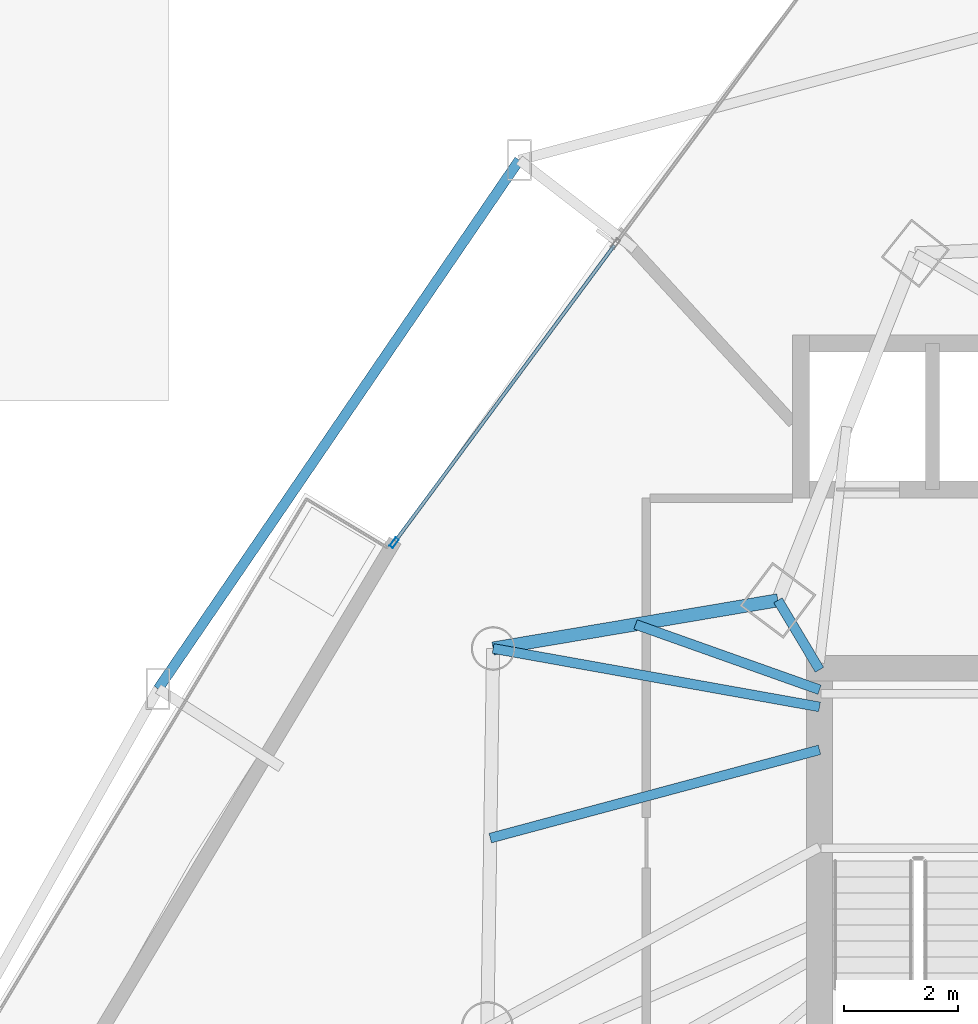
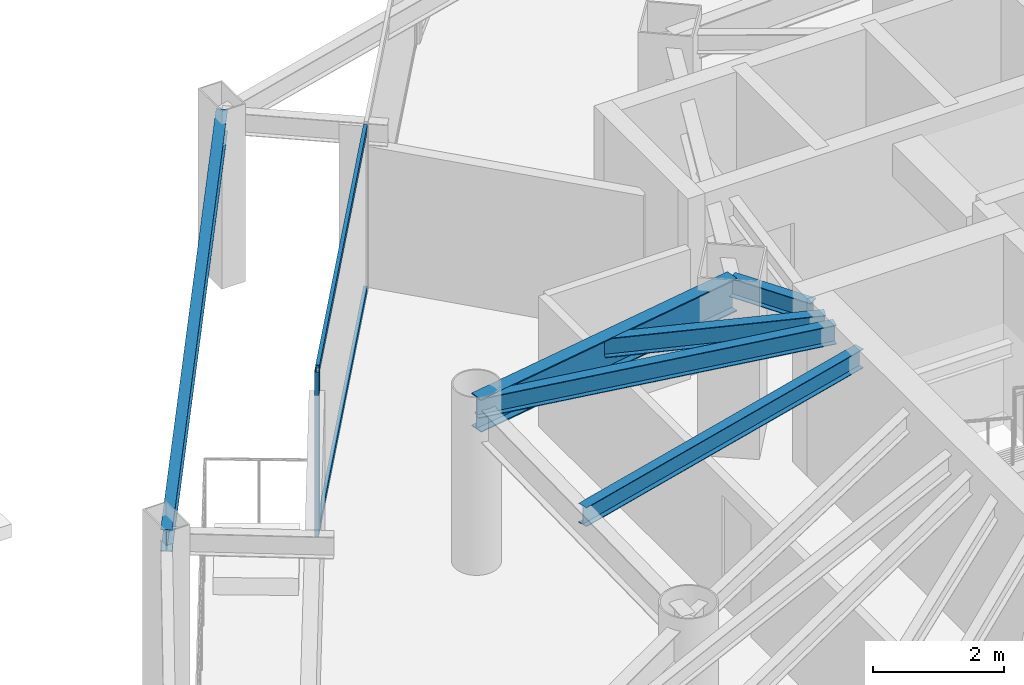
# One storey, part 22 of 35: 6 beams, 3 members, 1 element without a shape of its own.
"""IFC4 building model written with IfcOpenShell, lengths in metres."""

from ifc_helpers import new_model, si_unit, direction, frame, origin, origin_2d, place, context, subcontext, project, spatial, hollow_rectangle, i_section, extrude, material, layer, layer_set, material_profile, profile_set, type_object, element, aggregate, save


model = new_model("IFC4")

# Units and contexts
model_context = context("Model", 3, precision=1e-05, world=origin(), true_north=direction((0.0, 1.0)))
body_context = subcontext(model_context, "Body", "Model", "MODEL_VIEW")
ifc_project = project(units=[si_unit("LENGTHUNIT", "METRE"), si_unit("AREAUNIT", "SQUARE_METRE"), si_unit("VOLUMEUNIT", "CUBIC_METRE"), si_unit("PLANEANGLEUNIT", "RADIAN"), si_unit("MASSUNIT", "GRAM", prefix="KILO")], contexts=[model_context])

# Site, building, storey
site_placement = place(None, origin())
site = spatial("IfcSite", under=ifc_project, at=site_placement, CompositionType="ELEMENT")
building_placement = place(site_placement, origin())
building = spatial("IfcBuilding", under=site, at=building_placement, Name="Orvanel Arch Residences", CompositionType="ELEMENT")
storey_placement = place(building_placement, frame((0.0, 0.0, 26.89990234375)))
storey = spatial("IfcBuildingStorey", under=building, at=storey_placement, Name="L06", CompositionType="ELEMENT", Elevation=26.89990234375)

# Beams
ifc_material_1 = material(Name="Structural steel AS/NZS 3679.1 Grade 300 (300 MPa)", Category="steel")
ifc_material_profile_1 = material_profile(ifc_material_1, i_section(OverallWidth=0.1708984375, OverallDepth=0.35595703125, WebThickness=0.00732421875, FlangeThickness=0.011474609375, at=origin_2d()), Name="360UB50.7")
ifc_profile_set_1 = profile_set([ifc_material_profile_1], Name="Structural steel AS/NZS 3679.1 Grade 300 (300 MPa)")
beam_type_1 = type_object("IfcBeamType", Name="BJ-360UB", PredefinedType="JOIST", material=ifc_profile_set_1)
beam_1_placement = place(storey_placement, frame((26.375, 33.89990234375, 2.882080078125), z_axis=(-0.514064138778, 0.857751748015, 0.0), x_axis=(-0.857751748015, -0.514064138778, 0.0)))
element("IfcBeam", 1, at=beam_1_placement, inside=storey, type_object=beam_type_1, Name="L06 NNW Wing Floor Joist", PredefinedType="JOIST", context=body_context, shape_type="SweptSolid", body=[
    extrude(i_section(OverallWidth=0.1708984375, OverallDepth=0.35595703125, WebThickness=0.00732421875, FlangeThickness=0.011474609375, at=origin_2d()), origin(), (0.0, 0.0, 1.0), 1.414306640625),
])
beam_2_placement = place(storey_placement, frame((26.375, 32.5, 2.882080078125), z_axis=(-0.965844838168, -0.259121107949, 0.0), x_axis=(0.259121107949, -0.965844838168, 0.0)))
element("IfcBeam", 2, at=beam_2_placement, inside=storey, type_object=beam_type_1, Name="L06 WNW Wing Floor Joist", PredefinedType="JOIST", context=body_context, shape_type="SweptSolid", body=[
    extrude(i_section(OverallWidth=0.1708984375, OverallDepth=0.35595703125, WebThickness=0.00732421875, FlangeThickness=0.011474609375, at=origin_2d()), origin(), (0.0, 0.0, 1.0), 5.95849609375),
])
beam_3_placement = place(storey_placement, frame((26.375, 33.25, 2.882080078125), z_axis=(-0.984360855662, 0.176163860766, 0.0), x_axis=(-0.176163860766, -0.984360855662, 0.0)))
element("IfcBeam", 3, at=beam_3_placement, inside=storey, type_object=beam_type_1, Name="L06 LW Wing Floor Joist", PredefinedType="JOIST", context=body_context, shape_type="SweptSolid", body=[
    extrude(i_section(OverallWidth=0.1708984375, OverallDepth=0.35595703125, WebThickness=0.00732421875, FlangeThickness=0.011474609375, at=origin_2d()), origin(), (0.0, 0.0, 1.0), 5.795654296875),
])
beam_4_placement = place(storey_placement, frame((26.375, 33.550048828125, 2.882080078125), z_axis=(-0.942366638377, 0.334582006201, 0.0), x_axis=(-0.334582006201, -0.942366638377, 0.0)))
element("IfcBeam", 4, at=beam_4_placement, inside=storey, type_object=beam_type_1, Name="L06 JADD3 Wing Floor Joist", PredefinedType="JOIST", context=body_context, shape_type="SweptSolid", body=[
    extrude(i_section(OverallWidth=0.1708984375, OverallDepth=0.35595703125, WebThickness=0.00732421875, FlangeThickness=0.011474609375, at=origin_2d()), origin(), (0.0, 0.0, 1.0), 3.412841796875),
])

# Curtain wall, member
ifc_material_2 = material(Name="Bronze-anodised aluminium AA6063-T6", Category="aluminium")
ifc_layer = layer(ifc_material_2, 0.179931640625)
ifc_layer_set = layer_set([ifc_layer], Name="Bronze-anodised aluminium AA6063-T6")
curtain_wall_type = type_object("IfcCurtainWallType", Name="CW2-LOW-SYS", PredefinedType="NOTDEFINED", material=ifc_layer_set)
curtain_wall_placement = place(storey_placement, origin())
curtain_wall = element("IfcCurtainWall", 5, at=curtain_wall_placement, inside=storey, type_object=curtain_wall_type, Name="L06 CW2-LOW-SYS Unitised Curtain Wall", PredefinedType="NOTDEFINED")
ifc_material_profile_2 = material_profile(ifc_material_2, hollow_rectangle(XDim=0.070068359375, YDim=0.179931640625, WallThickness=0.00439453125, at=origin_2d()), Name="ALU180x70x4.5")
ifc_profile_set_2 = profile_set([ifc_material_profile_2], Name="Bronze-anodised aluminium AA6063-T6")
member_type_1 = type_object("IfcMemberType", Name="MUL-180x70", PredefinedType="MULLION", material=ifc_profile_set_2)
member_1_placement = place(storey_placement, frame((18.93994140625, 36.1201171875, 0.0), z_axis=(0.0, 0.0, 1.0), x_axis=(0.803638489605, -0.595117785002, 0.0)))
member_1 = element("IfcMember", 6, at=member_1_placement, type_object=member_type_1, Name="CW-S2 mullion 3", PredefinedType="MULLION", context=body_context, shape_type="SweptSolid", body=[
    extrude(hollow_rectangle(XDim=0.070068359375, YDim=0.179931640625, WallThickness=0.00439453125, at=origin_2d()), origin(), (0.0, 0.0, 1.0), 3.06005859375),
])

# Beams
ifc_material_profile_3 = material_profile(ifc_material_1, i_section(OverallWidth=0.177978515625, OverallDepth=0.406005859375, WebThickness=0.0078125, FlangeThickness=0.0126953125, at=origin_2d()), Name="410UB59.7")
ifc_profile_set_3 = profile_set([ifc_material_profile_3], Name="Structural steel AS/NZS 3679.1 Grade 300 (300 MPa)")
beam_type_2 = type_object("IfcBeamType", Name="OB-410UB-EXT", PredefinedType="SPANDREL", material=ifc_profile_set_3)
beam_5_placement = place(storey_placement, frame((21.126953125, 42.80908203125, 2.857177734375), z_axis=(-0.563897070234, -0.825845078802, 0.0), x_axis=(0.825845078802, -0.563897070234, 0.0)))
element("IfcBeam", 7, at=beam_5_placement, inside=storey, type_object=beam_type_2, Name="L06 Outer Perimeter Floor Ring Beam 01", PredefinedType="SPANDREL", context=body_context, shape_type="SweptSolid", body=[
    extrude(i_section(OverallWidth=0.177978515625, OverallDepth=0.406005859375, WebThickness=0.0078125, FlangeThickness=0.0126953125, at=origin_2d()), origin(), (0.0, 0.0, 1.0), 11.193603515625),
])
ifc_material_profile_4 = material_profile(ifc_material_1, i_section(OverallWidth=0.22900390625, OverallDepth=0.612060546875, WebThickness=0.011962890625, FlangeThickness=0.01953125, at=origin_2d()), Name="610UB125")
ifc_profile_set_4 = profile_set([ifc_material_profile_4], Name="Structural steel AS/NZS 3679.1 Grade 300 (300 MPa)")
beam_type_3 = type_object("IfcBeamType", Name="SP-610UB", PredefinedType="SPANDREL", material=ifc_profile_set_4)
beam_6_placement = place(storey_placement, frame((25.64794921875, 35.113037109375, 2.754150390625), z_axis=(-0.985993733897, -0.166782363326, 0.0), x_axis=(0.166782363326, -0.985993733897, 0.0)))
element("IfcBeam", 8, at=beam_6_placement, inside=storey, type_object=beam_type_3, Name="L06 Perimeter Spandrel Beam 19", PredefinedType="SPANDREL", context=body_context, shape_type="SweptSolid", body=[
    extrude(i_section(OverallWidth=0.22900390625, OverallDepth=0.612060546875, WebThickness=0.011962890625, FlangeThickness=0.01953125, at=origin_2d()), origin(), (0.0, 0.0, 1.0), 5.048828125),
])

# Member
ifc_material_profile_5 = material_profile(ifc_material_2, hollow_rectangle(XDim=0.06005859375, YDim=0.135009765625, WallThickness=0.00390625, at=origin_2d()), Name="ALU135x60x4")
ifc_profile_set_5 = profile_set([ifc_material_profile_5], Name="Bronze-anodised aluminium AA6063-T6")
member_type_2 = type_object("IfcMemberType", Name="TRN-135x60", PredefinedType="USERDEFINED", material=ifc_profile_set_5)
member_2_placement = place(storey_placement, frame((22.7880859375, 41.31689453125, 0.030029296875), z_axis=(-0.595099541417, -0.803651999192, 0.0), x_axis=(0.803651999192, -0.595099541417, 0.0)))
member_2 = element("IfcMember", 9, at=member_2_placement, type_object=member_type_2, Name="CW-S2 transom 2.1", ObjectType="TRANSOM", PredefinedType="USERDEFINED", context=body_context, shape_type="SweptSolid", body=[
    extrude(hollow_rectangle(XDim=0.06005859375, YDim=0.135009765625, WallThickness=0.00390625, at=origin_2d()), origin(), (0.0, 0.0, 1.0), 6.431396484375),
])

member_3_placement = place(storey_placement, frame((22.7880859375, 41.31689453125, 3.030029296875), z_axis=(-0.595099541417, -0.803651999192, 0.0), x_axis=(0.803651999192, -0.595099541417, 0.0)))
member_3 = element("IfcMember", 10, at=member_3_placement, type_object=member_type_2, Name="CW-S2 transom 2.2", ObjectType="TRANSOM", PredefinedType="USERDEFINED", context=body_context, shape_type="SweptSolid", body=[
    extrude(hollow_rectangle(XDim=0.06005859375, YDim=0.135009765625, WallThickness=0.00390625, at=origin_2d()), origin(), (0.0, 0.0, 1.0), 6.431396484375),
])

aggregate(curtain_wall, [member_1, member_2, member_3])

save(model, "model.ifc")
